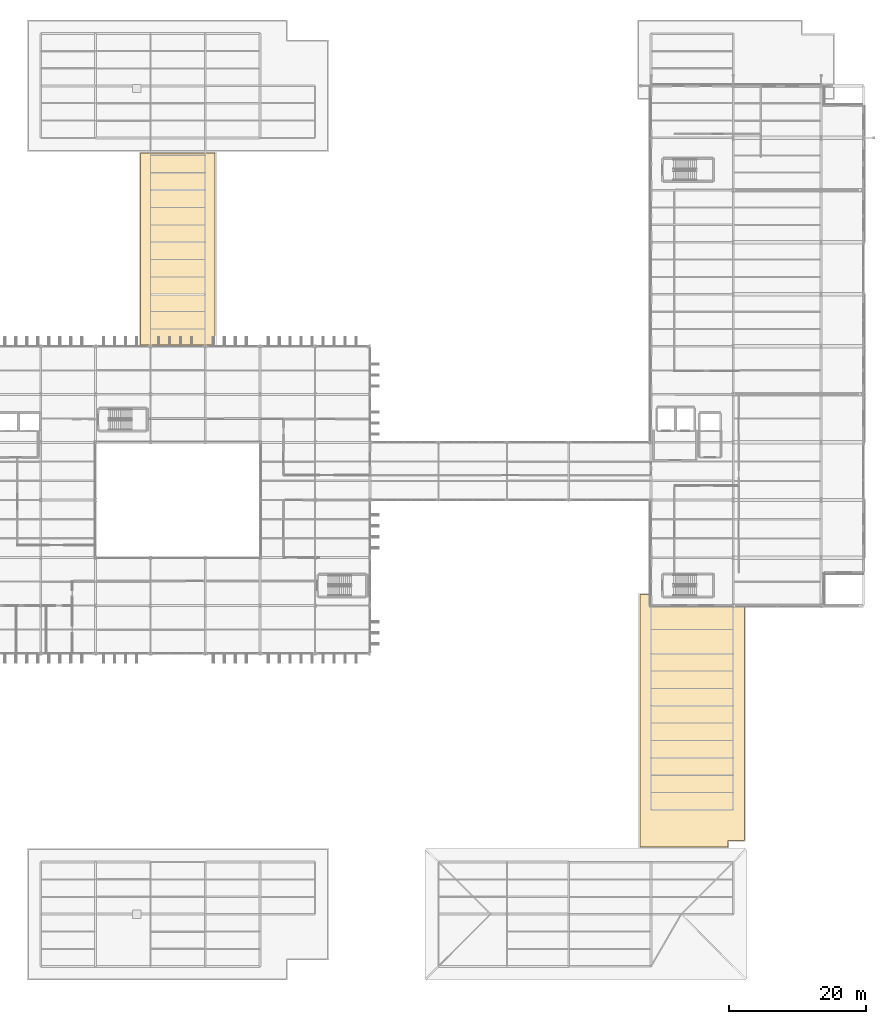
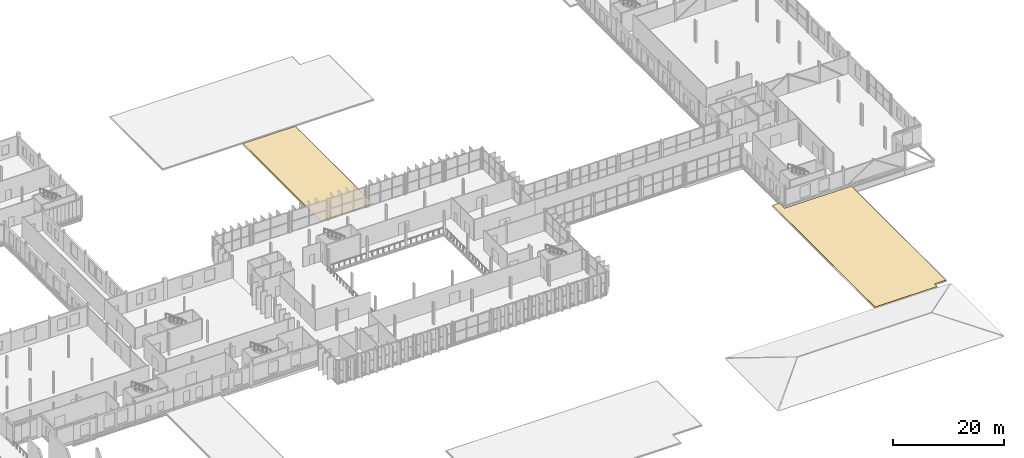
# One storey, part 116 of 120: 2 coverings.
"""IFC4 building model written with IfcOpenShell, lengths in metres."""

from ifc_helpers import new_model, si_unit, direction, frame, origin, place, context, subcontext, project, spatial, polyline, outline, extrude, material, layer, layer_set, type_object, element, save


model = new_model("IFC4")

# Units and contexts
model_context = context("Model", 3, precision=1e-05, world=origin(), true_north=direction((0.0, 1.0)))
body_context = subcontext(model_context, "Body", "Model", "MODEL_VIEW")
ifc_project = project(units=[si_unit("LENGTHUNIT", "METRE"), si_unit("AREAUNIT", "SQUARE_METRE"), si_unit("VOLUMEUNIT", "CUBIC_METRE"), si_unit("PLANEANGLEUNIT", "RADIAN"), si_unit("MASSUNIT", "GRAM", prefix="KILO")], contexts=[model_context])

# Site, building, storey
site_placement = place(None, origin())
site = spatial("IfcSite", under=ifc_project, at=site_placement, CompositionType="ELEMENT")
building_placement = place(site_placement, origin())
building = spatial("IfcBuilding", under=site, at=building_placement, Name="Vekula Escarpment Museum", CompositionType="ELEMENT")
storey_placement = place(building_placement, frame((0.0, 0.0, 13.199951171875)))
storey = spatial("IfcBuildingStorey", under=building, at=storey_placement, Name="L03", CompositionType="ELEMENT", Elevation=13.199951171875)

# Coverings
ifc_material_1 = material(Name="Standing-seam patinated copper roofing", Category="metal")
ifc_layer_1 = layer(ifc_material_1, 0.06005859375)
ifc_layer_set_1 = layer_set([ifc_layer_1], Name="Standing-seam patinated copper roofing")
covering_type_1 = type_object("IfcCoveringType", Name="COV-ROOF-COPPER", PredefinedType="ROOFING", material=ifc_layer_set_1)
covering_1_placement = place(storey_placement, origin())
element("IfcCovering", 1, at=covering_1_placement, inside=storey, type_object=covering_type_1, Name="Overhanging Eave Roof Covering R-L03-ELK", PredefinedType="ROOFING", context=body_context, shape_type="SweptSolid", body=[
    extrude(outline(polyline([(165.3798828125, 54.219970703125), (166.7900390625, 54.219970703125), (166.7900390625, 52.389892578125), (180.6201171875, 52.389892578125), (180.6201171875, 18.3798828125), (178.219970703125, 18.3798828125), (178.219970703125, 17.429931640625), (165.3798828125, 17.429931640625), (165.3798828125, 54.219970703125)])), origin(), (0.0, 0.0, 1.0), 0.06005859375),
])
ifc_material_2 = material(Name="Insulated TPO roof waterproofing membrane", Category="membrane")
ifc_layer_2 = layer(ifc_material_2, 0.080078125)
ifc_layer_set_2 = layer_set([ifc_layer_2], Name="Insulated TPO roof waterproofing membrane")
covering_type_2 = type_object("IfcCoveringType", Name="COV-ROOF-MEMB", PredefinedType="ROOFING", material=ifc_layer_set_2)
covering_2_placement = place(storey_placement, origin())
element("IfcCovering", 2, at=covering_2_placement, inside=storey, type_object=covering_type_2, Name="Overhanging Eave Roof Covering R-L03-NLK2", PredefinedType="ROOFING", context=body_context, shape_type="SweptSolid", body=[
    extrude(outline(polyline([(92.580078125, 118.594970703125), (103.419921875, 118.594970703125), (103.419921875, 90.610107421875), (92.580078125, 90.610107421875), (92.580078125, 118.594970703125)])), origin(), (0.0, 0.0, 1.0), 0.080078125),
])

save(model, "model.ifc")
